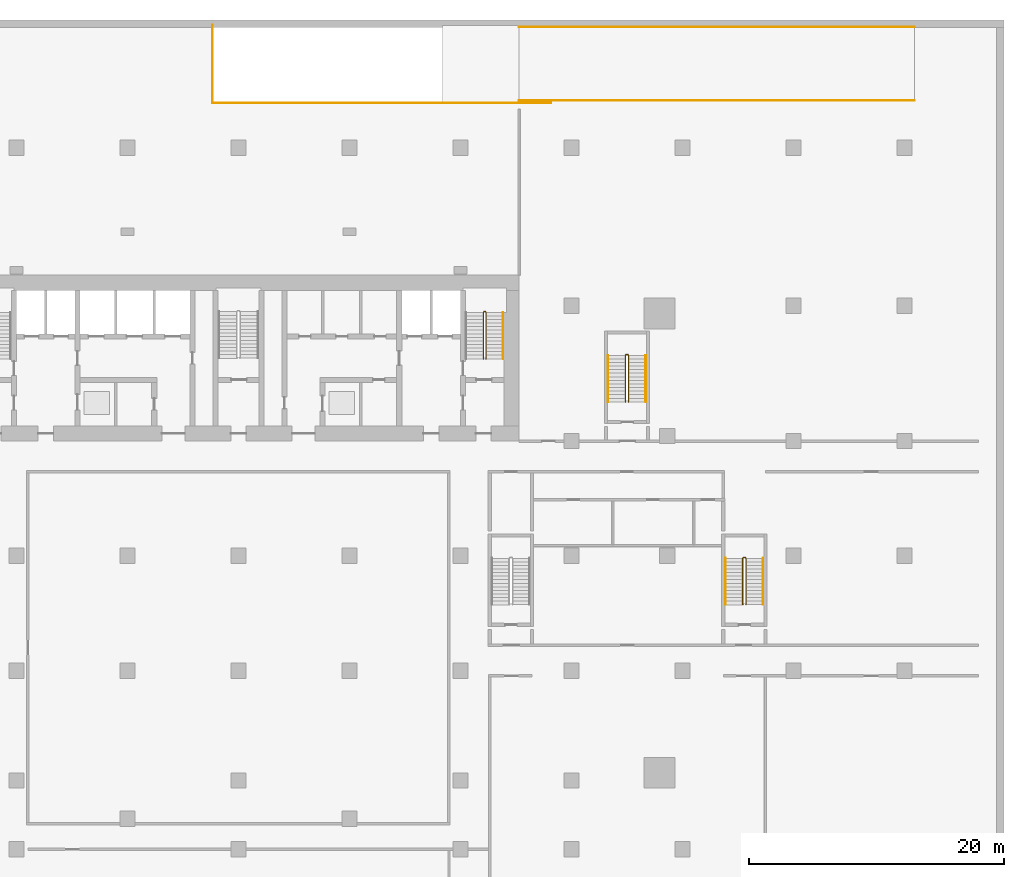
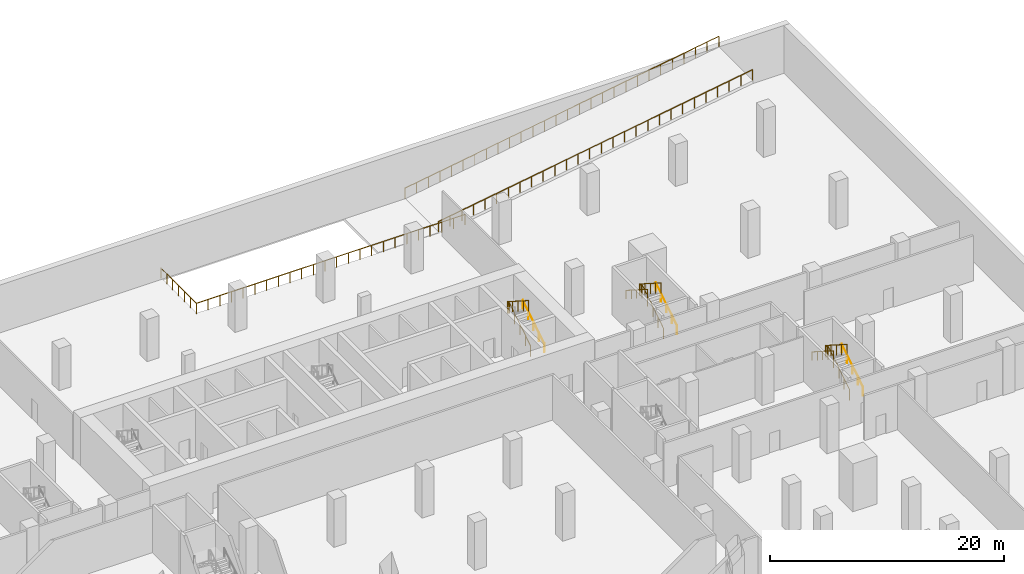
# One storey, part 15 of 16: 12 railings.
"""IFC4 building model written with IfcOpenShell, lengths in metres."""

from ifc_helpers import new_model, si_unit, direction, frame, origin, origin_2d, place, context, subcontext, project, spatial, circle, extrude, material, type_object, element, save


model = new_model("IFC4")

# Units and contexts
model_context = context("Model", 3, precision=1e-05, world=origin(), true_north=direction((0.0, 1.0)))
body_context = subcontext(model_context, "Body", "Model", "MODEL_VIEW")
ifc_project = project(units=[si_unit("LENGTHUNIT", "METRE"), si_unit("AREAUNIT", "SQUARE_METRE"), si_unit("VOLUMEUNIT", "CUBIC_METRE"), si_unit("PLANEANGLEUNIT", "RADIAN"), si_unit("MASSUNIT", "GRAM", prefix="KILO")], contexts=[model_context])

# Site, building, storey
site_placement = place(None, origin())
site = spatial("IfcSite", under=ifc_project, at=site_placement, CompositionType="ELEMENT")
building_placement = place(site_placement, origin())
building = spatial("IfcBuilding", under=site, at=building_placement, Name="Bicima Exchange Tower", CompositionType="ELEMENT")
storey_placement = place(building_placement, frame((0.0, 0.0, -5.0)))
storey = spatial("IfcBuildingStorey", under=building, at=storey_placement, Name="B1", CompositionType="ELEMENT", Elevation=-5.0)

# Railings
ifc_material = material(Name="Stainless steel", Category="steel")
railing_type_1 = type_object("IfcRailingType", Name="Stair guard 1100", PredefinedType="GUARDRAIL", material=ifc_material)
railing_1_placement = place(storey_placement, frame((19.39990234375, -6.550048828125, 0.178466796875)))
element("IfcRailing", 1, at=railing_1_placement, inside=storey, type_object=railing_type_1, Name="B1 ST-E stair guard 1", PredefinedType="GUARDRAIL", context=body_context, shape_type="SweptSolid", body=[
    extrude(circle(Radius=0.02392578125, at=origin_2d()), frame((0.0, 0.0, 1.076171875), z_axis=(0.0, 0.843127859045, 0.537713132908), x_axis=(-1.0, 0.0, 0.0)), (0.0, 0.0, 1.0), 4.3173828125),
    extrude(circle(Radius=0.02392578125, at=origin_2d()), frame((0.0, 3.64013671875, 3.3974609375), z_axis=(-0.707106781187, 0.707106781187, 0.0), x_axis=(-0.707106781187, -0.707106781187, 0.0)), (0.0, 0.0, 1.0), 0.0703125),
    extrude(circle(Radius=0.02392578125, at=origin_2d()), frame((-0.0498046875, 3.68994140625, 3.3974609375), z_axis=(-1.0, 0.0, 0.0), x_axis=(0.0, -1.0, 0.0)), (0.0, 0.0, 1.0), 0.10009765625),
    extrude(circle(Radius=0.02392578125, at=origin_2d()), frame((-0.14990234375, 3.68994140625, 3.3974609375), z_axis=(-0.26077077684, -0.25949872427, 0.929870428634), x_axis=(0.705375805398, -0.708833529934, 0.0)), (0.0, 0.0, 1.0), 0.19189453125),
    extrude(circle(Radius=0.02392578125, at=origin_2d()), frame((-0.199951171875, 3.64013671875, 3.576171875), z_axis=(0.0, -0.843127859045, 0.537713132908), x_axis=(1.0, 0.0, 0.0)), (0.0, 0.0, 1.0), 4.3173828125),
    extrude(circle(Radius=0.02099609375, at=origin_2d()), origin(), (0.0, 0.0, 1.0), 1.052001953125),
    extrude(circle(Radius=0.02099609375, at=origin_2d()), frame((0.0, 0.91015625, 0.580322265625)), (0.0, 0.0, 1.0), 1.052001953125),
    extrude(circle(Radius=0.02099609375, at=origin_2d()), frame((0.0, 1.820068359375, 1.16064453125)), (0.0, 0.0, 1.0), 1.052001953125),
    extrude(circle(Radius=0.02099609375, at=origin_2d()), frame((0.0, 2.72998046875, 1.7412109375)), (0.0, 0.0, 1.0), 1.052001953125),
    extrude(circle(Radius=0.02099609375, at=origin_2d()), frame((0.0, 3.64013671875, 2.321533203125)), (0.0, 0.0, 1.0), 1.052001953125),
    extrude(circle(Radius=0.02099609375, at=origin_2d()), frame((-0.0498046875, 3.68994140625, 2.321533203125)), (0.0, 0.0, 1.0), 1.052001953125),
    extrude(circle(Radius=0.02099609375, at=origin_2d()), frame((-0.14990234375, 3.68994140625, 2.321533203125)), (0.0, 0.0, 1.0), 1.052001953125),
    extrude(circle(Radius=0.02099609375, at=origin_2d()), frame((-0.199951171875, 3.64013671875, 2.5)), (0.0, 0.0, 1.0), 1.052001953125),
    extrude(circle(Radius=0.02099609375, at=origin_2d()), frame((-0.199951171875, 2.72998046875, 3.080322265625)), (0.0, 0.0, 1.0), 1.052001953125),
    extrude(circle(Radius=0.02099609375, at=origin_2d()), frame((-0.199951171875, 1.820068359375, 3.66064453125)), (0.0, 0.0, 1.0), 1.052001953125),
    extrude(circle(Radius=0.02099609375, at=origin_2d()), frame((-0.199951171875, 0.91015625, 4.2412109375)), (0.0, 0.0, 1.0), 1.052001953125),
    extrude(circle(Radius=0.02099609375, at=origin_2d()), frame((-0.199951171875, 0.0, 4.821533203125)), (0.0, 0.0, 1.0), 1.052001953125),
])
railing_2_placement = place(storey_placement, frame((30.574951171875, -9.925048828125, 0.178466796875)))
element("IfcRailing", 2, at=railing_2_placement, inside=storey, type_object=railing_type_1, Name="B1 ST-EE stair guard 1", PredefinedType="GUARDRAIL", context=body_context, shape_type="SweptSolid", body=[
    extrude(circle(Radius=0.02392578125, at=origin_2d()), frame((0.0, 0.0, 1.076171875), z_axis=(0.0, 0.843127859045, 0.537713132908), x_axis=(-1.0, 0.0, 0.0)), (0.0, 0.0, 1.0), 4.3173828125),
    extrude(circle(Radius=0.02392578125, at=origin_2d()), frame((0.0, 3.64013671875, 3.3974609375), z_axis=(-0.708833529934, 0.705375805398, 0.0), x_axis=(-0.705375805398, -0.708833529934, 0.0)), (0.0, 0.0, 1.0), 0.070556640625),
    extrude(circle(Radius=0.02392578125, at=origin_2d()), frame((-0.050048828125, 3.68994140625, 3.3974609375), z_axis=(-1.0, 0.0, 0.0), x_axis=(0.0, -1.0, 0.0)), (0.0, 0.0, 1.0), 0.14990234375),
    extrude(circle(Radius=0.02392578125, at=origin_2d()), frame((-0.199951171875, 3.68994140625, 3.3974609375), z_axis=(-0.26077077684, -0.25949872427, 0.929870428634), x_axis=(0.705375805398, -0.708833529934, 0.0)), (0.0, 0.0, 1.0), 0.19189453125),
    extrude(circle(Radius=0.02392578125, at=origin_2d()), frame((-0.25, 3.64013671875, 3.576171875), z_axis=(0.0, -0.843127859045, 0.537713132908), x_axis=(1.0, 0.0, 0.0)), (0.0, 0.0, 1.0), 4.3173828125),
    extrude(circle(Radius=0.02099609375, at=origin_2d()), origin(), (0.0, 0.0, 1.0), 1.052001953125),
    extrude(circle(Radius=0.02099609375, at=origin_2d()), frame((0.0, 0.91015625, 0.580322265625)), (0.0, 0.0, 1.0), 1.052001953125),
    extrude(circle(Radius=0.02099609375, at=origin_2d()), frame((0.0, 1.820068359375, 1.16064453125)), (0.0, 0.0, 1.0), 1.052001953125),
    extrude(circle(Radius=0.02099609375, at=origin_2d()), frame((0.0, 2.72998046875, 1.7412109375)), (0.0, 0.0, 1.0), 1.052001953125),
    extrude(circle(Radius=0.02099609375, at=origin_2d()), frame((0.0, 3.64013671875, 2.321533203125)), (0.0, 0.0, 1.0), 1.052001953125),
    extrude(circle(Radius=0.02099609375, at=origin_2d()), frame((-0.050048828125, 3.68994140625, 2.321533203125)), (0.0, 0.0, 1.0), 1.052001953125),
    extrude(circle(Radius=0.02099609375, at=origin_2d()), frame((-0.199951171875, 3.68994140625, 2.321533203125)), (0.0, 0.0, 1.0), 1.052001953125),
    extrude(circle(Radius=0.02099609375, at=origin_2d()), frame((-0.25, 3.64013671875, 2.5)), (0.0, 0.0, 1.0), 1.052001953125),
    extrude(circle(Radius=0.02099609375, at=origin_2d()), frame((-0.25, 2.72998046875, 3.080322265625)), (0.0, 0.0, 1.0), 1.052001953125),
    extrude(circle(Radius=0.02099609375, at=origin_2d()), frame((-0.25, 1.820068359375, 3.66064453125)), (0.0, 0.0, 1.0), 1.052001953125),
    extrude(circle(Radius=0.02099609375, at=origin_2d()), frame((-0.25, 0.91015625, 4.2412109375)), (0.0, 0.0, 1.0), 1.052001953125),
    extrude(circle(Radius=0.02099609375, at=origin_2d()), frame((-0.25, 0.0, 4.821533203125)), (0.0, 0.0, 1.0), 1.052001953125),
])
railing_3_placement = place(storey_placement, frame((39.77490234375, -25.824951171875, 0.178466796875)))
element("IfcRailing", 3, at=railing_3_placement, inside=storey, type_object=railing_type_1, Name="B1 PS-E stair guard 1", PredefinedType="GUARDRAIL", context=body_context, shape_type="SweptSolid", body=[
    extrude(circle(Radius=0.02392578125, at=origin_2d()), frame((0.0, 0.0, 1.076171875), z_axis=(0.0, 0.843111507901, 0.53773877045), x_axis=(-1.0, 0.0, 0.0)), (0.0, 0.0, 1.0), 4.317138671875),
    extrude(circle(Radius=0.02392578125, at=origin_2d()), frame((0.0, 3.639892578125, 3.3974609375), z_axis=(-0.705375805398, 0.708833529934, 0.0), x_axis=(-0.708833529934, -0.705375805398, 0.0)), (0.0, 0.0, 1.0), 0.070556640625),
    extrude(circle(Radius=0.02392578125, at=origin_2d()), frame((-0.0498046875, 3.68994140625, 3.3974609375), z_axis=(-1.0, 0.0, 0.0), x_axis=(0.0, -1.0, 0.0)), (0.0, 0.0, 1.0), 0.150146484375),
    extrude(circle(Radius=0.02392578125, at=origin_2d()), frame((-0.199951171875, 3.68994140625, 3.3974609375), z_axis=(-0.260684529273, -0.260684529273, 0.929562882432), x_axis=(0.707106781187, -0.707106781187, 0.0)), (0.0, 0.0, 1.0), 0.19189453125),
    extrude(circle(Radius=0.02392578125, at=origin_2d()), frame((-0.25, 3.639892578125, 3.576171875), z_axis=(0.0, -0.843111507901, 0.53773877045), x_axis=(1.0, 0.0, 0.0)), (0.0, 0.0, 1.0), 4.317138671875),
    extrude(circle(Radius=0.02099609375, at=origin_2d()), origin(), (0.0, 0.0, 1.0), 1.052001953125),
    extrude(circle(Radius=0.02099609375, at=origin_2d()), frame((0.0, 0.909912109375, 0.580322265625)), (0.0, 0.0, 1.0), 1.052001953125),
    extrude(circle(Radius=0.02099609375, at=origin_2d()), frame((0.0, 1.81982421875, 1.16064453125)), (0.0, 0.0, 1.0), 1.052001953125),
    extrude(circle(Radius=0.02099609375, at=origin_2d()), frame((0.0, 2.72998046875, 1.7412109375)), (0.0, 0.0, 1.0), 1.052001953125),
    extrude(circle(Radius=0.02099609375, at=origin_2d()), frame((0.0, 3.639892578125, 2.321533203125)), (0.0, 0.0, 1.0), 1.052001953125),
    extrude(circle(Radius=0.02099609375, at=origin_2d()), frame((-0.0498046875, 3.68994140625, 2.321533203125)), (0.0, 0.0, 1.0), 1.052001953125),
    extrude(circle(Radius=0.02099609375, at=origin_2d()), frame((-0.199951171875, 3.68994140625, 2.321533203125)), (0.0, 0.0, 1.0), 1.052001953125),
    extrude(circle(Radius=0.02099609375, at=origin_2d()), frame((-0.25, 3.639892578125, 2.5)), (0.0, 0.0, 1.0), 1.052001953125),
    extrude(circle(Radius=0.02099609375, at=origin_2d()), frame((-0.25, 2.72998046875, 3.080322265625)), (0.0, 0.0, 1.0), 1.052001953125),
    extrude(circle(Radius=0.02099609375, at=origin_2d()), frame((-0.25, 1.81982421875, 3.66064453125)), (0.0, 0.0, 1.0), 1.052001953125),
    extrude(circle(Radius=0.02099609375, at=origin_2d()), frame((-0.25, 0.909912109375, 4.2412109375)), (0.0, 0.0, 1.0), 1.052001953125),
    extrude(circle(Radius=0.02099609375, at=origin_2d()), frame((-0.25, 0.0, 4.821533203125)), (0.0, 0.0, 1.0), 1.052001953125),
])
railing_type_2 = type_object("IfcRailingType", Name="Stair handrail 900", PredefinedType="HANDRAIL", material=ifc_material)
for number, where, name in (
    (4, (20.75, -6.550048828125, 0.178466796875), "B1 ST-E stair handrail 1"),
    (5, (31.925048828125, -9.925048828125, 0.178466796875), "B1 ST-EE stair handrail 1"),
):
    element("IfcRailing", number, at=place(storey_placement, frame(where)), inside=storey, type_object=railing_type_2, Name=name, PredefinedType="HANDRAIL", context=body_context, shape_type="SweptSolid", body=[
        extrude(circle(Radius=0.02392578125, at=origin_2d()), frame((0.0, 0.0, 0.8759765625), z_axis=(0.0, 0.843127859045, 0.537713132908), x_axis=(-1.0, 0.0, 0.0)), (0.0, 0.0, 1.0), 4.3173828125),
        extrude(circle(Radius=0.02099609375, at=origin_2d()), origin(), (0.0, 0.0, 1.0), 0.851806640625),
        extrude(circle(Radius=0.02099609375, at=origin_2d()), frame((0.0, 0.91015625, 0.580322265625)), (0.0, 0.0, 1.0), 0.851806640625),
        extrude(circle(Radius=0.02099609375, at=origin_2d()), frame((0.0, 1.820068359375, 1.16064453125)), (0.0, 0.0, 1.0), 0.851806640625),
        extrude(circle(Radius=0.02099609375, at=origin_2d()), frame((0.0, 2.72998046875, 1.7412109375)), (0.0, 0.0, 1.0), 0.851806640625),
        extrude(circle(Radius=0.02099609375, at=origin_2d()), frame((0.0, 3.64013671875, 2.321533203125)), (0.0, 0.0, 1.0), 0.851806640625),
    ])
railing_4_placement = place(storey_placement, frame((28.97509765625, -6.284912109375, 2.678466796875)))
element("IfcRailing", 6, at=railing_4_placement, inside=storey, type_object=railing_type_2, Name="B1 ST-EE stair handrail 2", PredefinedType="HANDRAIL", context=body_context, shape_type="SweptSolid", body=[
    extrude(circle(Radius=0.02392578125, at=origin_2d()), frame((0.0, 0.0, 0.8759765625), z_axis=(0.0, -0.843127859045, 0.537713132908), x_axis=(1.0, 0.0, 0.0)), (0.0, 0.0, 1.0), 4.3173828125),
    extrude(circle(Radius=0.02099609375, at=origin_2d()), origin(), (0.0, 0.0, 1.0), 0.851806640625),
    extrude(circle(Radius=0.02099609375, at=origin_2d()), frame((0.0, -0.91015625, 0.580322265625)), (0.0, 0.0, 1.0), 0.851806640625),
    extrude(circle(Radius=0.02099609375, at=origin_2d()), frame((0.0, -1.820068359375, 1.16064453125)), (0.0, 0.0, 1.0), 0.851806640625),
    extrude(circle(Radius=0.02099609375, at=origin_2d()), frame((0.0, -2.72998046875, 1.7412109375)), (0.0, 0.0, 1.0), 0.851806640625),
    extrude(circle(Radius=0.02099609375, at=origin_2d()), frame((0.0, -3.64013671875, 2.321533203125)), (0.0, 0.0, 1.0), 0.851806640625),
])
railing_5_placement = place(storey_placement, frame((41.125, -25.824951171875, 0.178466796875)))
element("IfcRailing", 7, at=railing_5_placement, inside=storey, type_object=railing_type_2, Name="B1 PS-E stair handrail 1", PredefinedType="HANDRAIL", context=body_context, shape_type="SweptSolid", body=[
    extrude(circle(Radius=0.02392578125, at=origin_2d()), frame((0.0, 0.0, 0.8759765625), z_axis=(0.0, 0.843111507901, 0.53773877045), x_axis=(-1.0, 0.0, 0.0)), (0.0, 0.0, 1.0), 4.317138671875),
    extrude(circle(Radius=0.02099609375, at=origin_2d()), origin(), (0.0, 0.0, 1.0), 0.851806640625),
    extrude(circle(Radius=0.02099609375, at=origin_2d()), frame((0.0, 0.909912109375, 0.580322265625)), (0.0, 0.0, 1.0), 0.851806640625),
    extrude(circle(Radius=0.02099609375, at=origin_2d()), frame((0.0, 1.81982421875, 1.16064453125)), (0.0, 0.0, 1.0), 0.851806640625),
    extrude(circle(Radius=0.02099609375, at=origin_2d()), frame((0.0, 2.72998046875, 1.7412109375)), (0.0, 0.0, 1.0), 0.851806640625),
    extrude(circle(Radius=0.02099609375, at=origin_2d()), frame((0.0, 3.639892578125, 2.321533203125)), (0.0, 0.0, 1.0), 0.851806640625),
])
railing_6_placement = place(storey_placement, frame((38.175048828125, -22.18505859375, 2.678466796875)))
element("IfcRailing", 8, at=railing_6_placement, inside=storey, type_object=railing_type_2, Name="B1 PS-E stair handrail 2", PredefinedType="HANDRAIL", context=body_context, shape_type="SweptSolid", body=[
    extrude(circle(Radius=0.02392578125, at=origin_2d()), frame((0.0, 0.0, 0.8759765625), z_axis=(0.0, -0.843111507901, 0.53773877045), x_axis=(1.0, 0.0, 0.0)), (0.0, 0.0, 1.0), 4.317138671875),
    extrude(circle(Radius=0.02099609375, at=origin_2d()), origin(), (0.0, 0.0, 1.0), 0.851806640625),
    extrude(circle(Radius=0.02099609375, at=origin_2d()), frame((0.0, -0.909912109375, 0.580322265625)), (0.0, 0.0, 1.0), 0.851806640625),
    extrude(circle(Radius=0.02099609375, at=origin_2d()), frame((0.0, -1.81982421875, 1.16064453125)), (0.0, 0.0, 1.0), 0.851806640625),
    extrude(circle(Radius=0.02099609375, at=origin_2d()), frame((0.0, -2.72998046875, 1.7412109375)), (0.0, 0.0, 1.0), 0.851806640625),
    extrude(circle(Radius=0.02099609375, at=origin_2d()), frame((0.0, -3.639892578125, 2.321533203125)), (0.0, 0.0, 1.0), 0.851806640625),
])
railing_7_placement = place(storey_placement, frame((22.0, 13.699951171875, 0.0)))
element("IfcRailing", 9, at=railing_7_placement, inside=storey, Name="Ramp guard 3 south", PredefinedType="GUARDRAIL", context=body_context, shape_type="SweptSolid", body=[
    extrude(circle(Radius=0.02392578125, at=origin_2d()), frame((0.0, 0.0, 1.076171875), z_axis=(0.987241120713, 0.0, 0.159232438825), x_axis=(0.0, 1.0, 0.0)), (0.0, 0.0, 1.0), 31.400634765625),
    extrude(circle(Radius=0.02099609375, at=origin_2d()), origin(), (0.0, 0.0, 1.0), 1.052001953125),
    extrude(circle(Radius=0.02099609375, at=origin_2d()), frame((1.148193359375, 0.0, 0.185302734375)), (0.0, 0.0, 1.0), 1.052001953125),
    extrude(circle(Radius=0.02099609375, at=origin_2d()), frame((2.29638671875, 0.0, 0.370361328125)), (0.0, 0.0, 1.0), 1.052001953125),
    extrude(circle(Radius=0.02099609375, at=origin_2d()), frame((3.4443359375, 0.0, 0.5556640625)), (0.0, 0.0, 1.0), 1.052001953125),
    extrude(circle(Radius=0.02099609375, at=origin_2d()), frame((4.592529296875, 0.0, 0.74072265625)), (0.0, 0.0, 1.0), 1.052001953125),
    extrude(circle(Radius=0.02099609375, at=origin_2d()), frame((5.74072265625, 0.0, 0.926025390625)), (0.0, 0.0, 1.0), 1.052001953125),
    extrude(circle(Radius=0.02099609375, at=origin_2d()), frame((6.888916015625, 0.0, 1.111083984375)), (0.0, 0.0, 1.0), 1.052001953125),
    extrude(circle(Radius=0.02099609375, at=origin_2d()), frame((8.037109375, 0.0, 1.29638671875)), (0.0, 0.0, 1.0), 1.052001953125),
    extrude(circle(Radius=0.02099609375, at=origin_2d()), frame((9.185302734375, 0.0, 1.4814453125)), (0.0, 0.0, 1.0), 1.052001953125),
    extrude(circle(Radius=0.02099609375, at=origin_2d()), frame((10.333251953125, 0.0, 1.666748046875)), (0.0, 0.0, 1.0), 1.052001953125),
    extrude(circle(Radius=0.02099609375, at=origin_2d()), frame((11.4814453125, 0.0, 1.851806640625)), (0.0, 0.0, 1.0), 1.052001953125),
    extrude(circle(Radius=0.02099609375, at=origin_2d()), frame((12.629638671875, 0.0, 2.037109375)), (0.0, 0.0, 1.0), 1.052001953125),
    extrude(circle(Radius=0.02099609375, at=origin_2d()), frame((13.77783203125, 0.0, 2.22216796875)), (0.0, 0.0, 1.0), 1.052001953125),
    extrude(circle(Radius=0.02099609375, at=origin_2d()), frame((14.926025390625, 0.0, 2.407470703125)), (0.0, 0.0, 1.0), 1.052001953125),
    extrude(circle(Radius=0.02099609375, at=origin_2d()), frame((16.073974609375, 0.0, 2.592529296875)), (0.0, 0.0, 1.0), 1.052001953125),
    extrude(circle(Radius=0.02099609375, at=origin_2d()), frame((17.22216796875, 0.0, 2.77783203125)), (0.0, 0.0, 1.0), 1.052001953125),
    extrude(circle(Radius=0.02099609375, at=origin_2d()), frame((18.370361328125, 0.0, 2.962890625)), (0.0, 0.0, 1.0), 1.052001953125),
    extrude(circle(Radius=0.02099609375, at=origin_2d()), frame((19.5185546875, 0.0, 3.148193359375)), (0.0, 0.0, 1.0), 1.052001953125),
    extrude(circle(Radius=0.02099609375, at=origin_2d()), frame((20.666748046875, 0.0, 3.333251953125)), (0.0, 0.0, 1.0), 1.052001953125),
    extrude(circle(Radius=0.02099609375, at=origin_2d()), frame((21.814697265625, 0.0, 3.5185546875)), (0.0, 0.0, 1.0), 1.052001953125),
    extrude(circle(Radius=0.02099609375, at=origin_2d()), frame((22.962890625, 0.0, 3.70361328125)), (0.0, 0.0, 1.0), 1.052001953125),
    extrude(circle(Radius=0.02099609375, at=origin_2d()), frame((24.111083984375, 0.0, 3.888916015625)), (0.0, 0.0, 1.0), 1.052001953125),
    extrude(circle(Radius=0.02099609375, at=origin_2d()), frame((25.25927734375, 0.0, 4.073974609375)), (0.0, 0.0, 1.0), 1.052001953125),
    extrude(circle(Radius=0.02099609375, at=origin_2d()), frame((26.407470703125, 0.0, 4.25927734375)), (0.0, 0.0, 1.0), 1.052001953125),
    extrude(circle(Radius=0.02099609375, at=origin_2d()), frame((27.5556640625, 0.0, 4.4443359375)), (0.0, 0.0, 1.0), 1.052001953125),
    extrude(circle(Radius=0.02099609375, at=origin_2d()), frame((28.70361328125, 0.0, 4.629638671875)), (0.0, 0.0, 1.0), 1.052001953125),
    extrude(circle(Radius=0.02099609375, at=origin_2d()), frame((29.851806640625, 0.0, 4.814697265625)), (0.0, 0.0, 1.0), 1.052001953125),
    extrude(circle(Radius=0.02099609375, at=origin_2d()), frame((31.0, 0.0, 5.0)), (0.0, 0.0, 1.0), 1.052001953125),
])
railing_8_placement = place(storey_placement, frame((22.0, 19.449951171875, 0.0)))
element("IfcRailing", 10, at=railing_8_placement, inside=storey, Name="Ramp guard 3 north", PredefinedType="GUARDRAIL", context=body_context, shape_type="SweptSolid", body=[
    extrude(circle(Radius=0.02392578125, at=origin_2d()), frame((0.0, 0.0, 1.076171875), z_axis=(0.987241120713, 0.0, 0.159232438825), x_axis=(0.0, 1.0, 0.0)), (0.0, 0.0, 1.0), 31.400634765625),
    extrude(circle(Radius=0.02099609375, at=origin_2d()), origin(), (0.0, 0.0, 1.0), 1.052001953125),
    extrude(circle(Radius=0.02099609375, at=origin_2d()), frame((1.148193359375, 0.0, 0.185302734375)), (0.0, 0.0, 1.0), 1.052001953125),
    extrude(circle(Radius=0.02099609375, at=origin_2d()), frame((2.29638671875, 0.0, 0.370361328125)), (0.0, 0.0, 1.0), 1.052001953125),
    extrude(circle(Radius=0.02099609375, at=origin_2d()), frame((3.4443359375, 0.0, 0.5556640625)), (0.0, 0.0, 1.0), 1.052001953125),
    extrude(circle(Radius=0.02099609375, at=origin_2d()), frame((4.592529296875, 0.0, 0.74072265625)), (0.0, 0.0, 1.0), 1.052001953125),
    extrude(circle(Radius=0.02099609375, at=origin_2d()), frame((5.74072265625, 0.0, 0.926025390625)), (0.0, 0.0, 1.0), 1.052001953125),
    extrude(circle(Radius=0.02099609375, at=origin_2d()), frame((6.888916015625, 0.0, 1.111083984375)), (0.0, 0.0, 1.0), 1.052001953125),
    extrude(circle(Radius=0.02099609375, at=origin_2d()), frame((8.037109375, 0.0, 1.29638671875)), (0.0, 0.0, 1.0), 1.052001953125),
    extrude(circle(Radius=0.02099609375, at=origin_2d()), frame((9.185302734375, 0.0, 1.4814453125)), (0.0, 0.0, 1.0), 1.052001953125),
    extrude(circle(Radius=0.02099609375, at=origin_2d()), frame((10.333251953125, 0.0, 1.666748046875)), (0.0, 0.0, 1.0), 1.052001953125),
    extrude(circle(Radius=0.02099609375, at=origin_2d()), frame((11.4814453125, 0.0, 1.851806640625)), (0.0, 0.0, 1.0), 1.052001953125),
    extrude(circle(Radius=0.02099609375, at=origin_2d()), frame((12.629638671875, 0.0, 2.037109375)), (0.0, 0.0, 1.0), 1.052001953125),
    extrude(circle(Radius=0.02099609375, at=origin_2d()), frame((13.77783203125, 0.0, 2.22216796875)), (0.0, 0.0, 1.0), 1.052001953125),
    extrude(circle(Radius=0.02099609375, at=origin_2d()), frame((14.926025390625, 0.0, 2.407470703125)), (0.0, 0.0, 1.0), 1.052001953125),
    extrude(circle(Radius=0.02099609375, at=origin_2d()), frame((16.073974609375, 0.0, 2.592529296875)), (0.0, 0.0, 1.0), 1.052001953125),
    extrude(circle(Radius=0.02099609375, at=origin_2d()), frame((17.22216796875, 0.0, 2.77783203125)), (0.0, 0.0, 1.0), 1.052001953125),
    extrude(circle(Radius=0.02099609375, at=origin_2d()), frame((18.370361328125, 0.0, 2.962890625)), (0.0, 0.0, 1.0), 1.052001953125),
    extrude(circle(Radius=0.02099609375, at=origin_2d()), frame((19.5185546875, 0.0, 3.148193359375)), (0.0, 0.0, 1.0), 1.052001953125),
    extrude(circle(Radius=0.02099609375, at=origin_2d()), frame((20.666748046875, 0.0, 3.333251953125)), (0.0, 0.0, 1.0), 1.052001953125),
    extrude(circle(Radius=0.02099609375, at=origin_2d()), frame((21.814697265625, 0.0, 3.5185546875)), (0.0, 0.0, 1.0), 1.052001953125),
    extrude(circle(Radius=0.02099609375, at=origin_2d()), frame((22.962890625, 0.0, 3.70361328125)), (0.0, 0.0, 1.0), 1.052001953125),
    extrude(circle(Radius=0.02099609375, at=origin_2d()), frame((24.111083984375, 0.0, 3.888916015625)), (0.0, 0.0, 1.0), 1.052001953125),
    extrude(circle(Radius=0.02099609375, at=origin_2d()), frame((25.25927734375, 0.0, 4.073974609375)), (0.0, 0.0, 1.0), 1.052001953125),
    extrude(circle(Radius=0.02099609375, at=origin_2d()), frame((26.407470703125, 0.0, 4.25927734375)), (0.0, 0.0, 1.0), 1.052001953125),
    extrude(circle(Radius=0.02099609375, at=origin_2d()), frame((27.5556640625, 0.0, 4.4443359375)), (0.0, 0.0, 1.0), 1.052001953125),
    extrude(circle(Radius=0.02099609375, at=origin_2d()), frame((28.70361328125, 0.0, 4.629638671875)), (0.0, 0.0, 1.0), 1.052001953125),
    extrude(circle(Radius=0.02099609375, at=origin_2d()), frame((29.851806640625, 0.0, 4.814697265625)), (0.0, 0.0, 1.0), 1.052001953125),
    extrude(circle(Radius=0.02099609375, at=origin_2d()), frame((31.0, 0.0, 5.0)), (0.0, 0.0, 1.0), 1.052001953125),
])
railing_9_placement = place(storey_placement, frame((-2.0400390625, 13.489990234375, 0.0)))
element("IfcRailing", 11, at=railing_9_placement, inside=storey, Name="Ramp opening guard B1 west", PredefinedType="GUARDRAIL", context=body_context, shape_type="SweptSolid", body=[
    extrude(circle(Radius=0.02392578125, at=origin_2d()), frame((0.0, 0.0, 1.076171875), z_axis=(0.0, 1.0, 0.0), x_axis=(-1.0, 0.0, 0.0)), (0.0, 0.0, 1.0), 6.110107421875),
    extrude(circle(Radius=0.02099609375, at=origin_2d()), origin(), (0.0, 0.0, 1.0), 1.052001953125),
    extrude(circle(Radius=0.02099609375, at=origin_2d()), frame((0.0, 1.018310546875, 0.0)), (0.0, 0.0, 1.0), 1.052001953125),
    extrude(circle(Radius=0.02099609375, at=origin_2d()), frame((0.0, 2.03662109375, 0.0)), (0.0, 0.0, 1.0), 1.052001953125),
    extrude(circle(Radius=0.02099609375, at=origin_2d()), frame((0.0, 3.05517578125, 0.0)), (0.0, 0.0, 1.0), 1.052001953125),
    extrude(circle(Radius=0.02099609375, at=origin_2d()), frame((0.0, 4.073486328125, 0.0)), (0.0, 0.0, 1.0), 1.052001953125),
    extrude(circle(Radius=0.02099609375, at=origin_2d()), frame((0.0, 5.091796875, 0.0)), (0.0, 0.0, 1.0), 1.052001953125),
    extrude(circle(Radius=0.02099609375, at=origin_2d()), frame((0.0, 6.110107421875, 0.0)), (0.0, 0.0, 1.0), 1.052001953125),
])
railing_10_placement = place(storey_placement, frame((-2.0400390625, 13.489990234375, 0.0)))
element("IfcRailing", 12, at=railing_10_placement, inside=storey, Name="Ramp opening guard B1 south", PredefinedType="GUARDRAIL", context=body_context, shape_type="SweptSolid", body=[
    extrude(circle(Radius=0.02392578125, at=origin_2d()), frame((0.0, 0.0, 1.076171875), z_axis=(1.0, 0.0, 0.0), x_axis=(0.0, 1.0, 0.0)), (0.0, 0.0, 1.0), 26.5400390625),
    extrude(circle(Radius=0.02099609375, at=origin_2d()), origin(), (0.0, 0.0, 1.0), 1.052001953125),
    extrude(circle(Radius=0.02099609375, at=origin_2d()), frame((1.15380859375, 0.0, 0.0)), (0.0, 0.0, 1.0), 1.052001953125),
    extrude(circle(Radius=0.02099609375, at=origin_2d()), frame((2.307861328125, 0.0, 0.0)), (0.0, 0.0, 1.0), 1.052001953125),
    extrude(circle(Radius=0.02099609375, at=origin_2d()), frame((3.461669921875, 0.0, 0.0)), (0.0, 0.0, 1.0), 1.052001953125),
    extrude(circle(Radius=0.02099609375, at=origin_2d()), frame((4.61572265625, 0.0, 0.0)), (0.0, 0.0, 1.0), 1.052001953125),
    extrude(circle(Radius=0.02099609375, at=origin_2d()), frame((5.76953125, 0.0, 0.0)), (0.0, 0.0, 1.0), 1.052001953125),
    extrude(circle(Radius=0.02099609375, at=origin_2d()), frame((6.923583984375, 0.0, 0.0)), (0.0, 0.0, 1.0), 1.052001953125),
    extrude(circle(Radius=0.02099609375, at=origin_2d()), frame((8.077392578125, 0.0, 0.0)), (0.0, 0.0, 1.0), 1.052001953125),
    extrude(circle(Radius=0.02099609375, at=origin_2d()), frame((9.231201171875, 0.0, 0.0)), (0.0, 0.0, 1.0), 1.052001953125),
    extrude(circle(Radius=0.02099609375, at=origin_2d()), frame((10.38525390625, 0.0, 0.0)), (0.0, 0.0, 1.0), 1.052001953125),
    extrude(circle(Radius=0.02099609375, at=origin_2d()), frame((11.5390625, 0.0, 0.0)), (0.0, 0.0, 1.0), 1.052001953125),
    extrude(circle(Radius=0.02099609375, at=origin_2d()), frame((12.693115234375, 0.0, 0.0)), (0.0, 0.0, 1.0), 1.052001953125),
    extrude(circle(Radius=0.02099609375, at=origin_2d()), frame((13.846923828125, 0.0, 0.0)), (0.0, 0.0, 1.0), 1.052001953125),
    extrude(circle(Radius=0.02099609375, at=origin_2d()), frame((15.0009765625, 0.0, 0.0)), (0.0, 0.0, 1.0), 1.052001953125),
    extrude(circle(Radius=0.02099609375, at=origin_2d()), frame((16.15478515625, 0.0, 0.0)), (0.0, 0.0, 1.0), 1.052001953125),
    extrude(circle(Radius=0.02099609375, at=origin_2d()), frame((17.308837890625, 0.0, 0.0)), (0.0, 0.0, 1.0), 1.052001953125),
    extrude(circle(Radius=0.02099609375, at=origin_2d()), frame((18.462646484375, 0.0, 0.0)), (0.0, 0.0, 1.0), 1.052001953125),
    extrude(circle(Radius=0.02099609375, at=origin_2d()), frame((19.616455078125, 0.0, 0.0)), (0.0, 0.0, 1.0), 1.052001953125),
    extrude(circle(Radius=0.02099609375, at=origin_2d()), frame((20.7705078125, 0.0, 0.0)), (0.0, 0.0, 1.0), 1.052001953125),
    extrude(circle(Radius=0.02099609375, at=origin_2d()), frame((21.92431640625, 0.0, 0.0)), (0.0, 0.0, 1.0), 1.052001953125),
    extrude(circle(Radius=0.02099609375, at=origin_2d()), frame((23.078369140625, 0.0, 0.0)), (0.0, 0.0, 1.0), 1.052001953125),
    extrude(circle(Radius=0.02099609375, at=origin_2d()), frame((24.232177734375, 0.0, 0.0)), (0.0, 0.0, 1.0), 1.052001953125),
    extrude(circle(Radius=0.02099609375, at=origin_2d()), frame((25.38623046875, 0.0, 0.0)), (0.0, 0.0, 1.0), 1.052001953125),
    extrude(circle(Radius=0.02099609375, at=origin_2d()), frame((26.5400390625, 0.0, 0.0)), (0.0, 0.0, 1.0), 1.052001953125),
])

save(model, "model.ifc")
